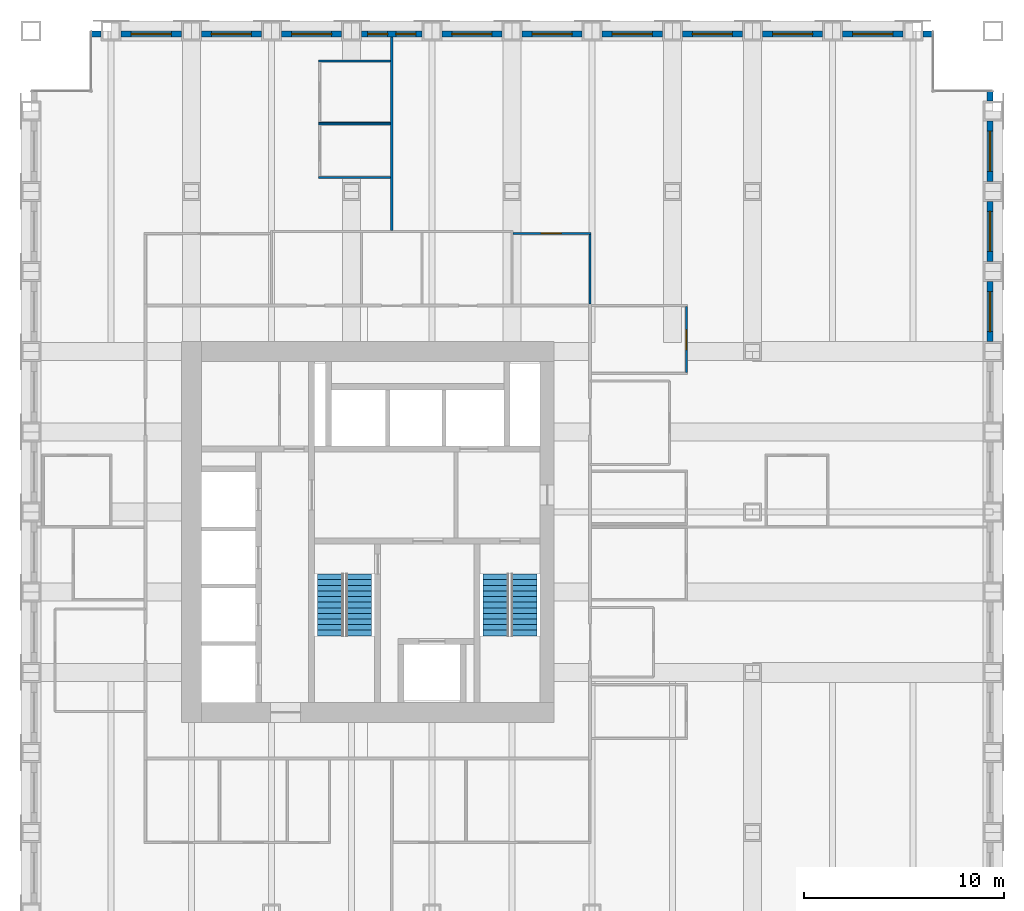
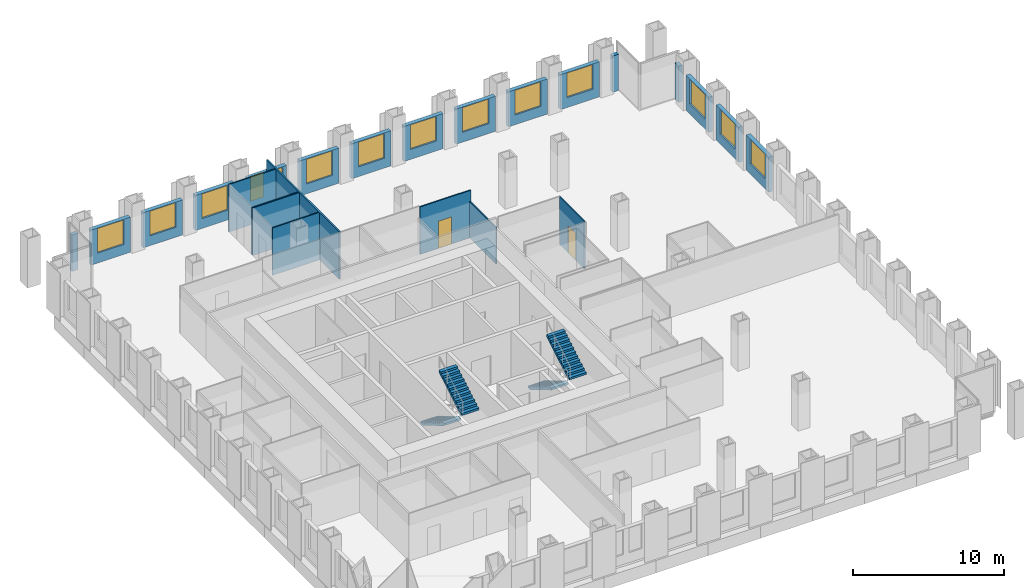
# One storey, part 14 of 16: 24 walls, 14 windows, 4 stair flights, 2 doors, 16 openings, 2 elements without a shape of their own.
"""IFC4 building model written with IfcOpenShell, lengths in metres."""

from ifc_helpers import new_model, si_unit, direction, frame, frame_2d, origin, place, context, subcontext, project, spatial, polyline, rectangle, outline, extrude, material, layer, layer_set, type_object, element, fill, aggregate, save


model = new_model("IFC4")

# Units and contexts
model_context = context("Model", 3, precision=1e-05, world=origin(), true_north=direction((0.0, 1.0)))
body_context = subcontext(model_context, "Body", "Model", "MODEL_VIEW")
ifc_project = project(units=[si_unit("LENGTHUNIT", "METRE"), si_unit("AREAUNIT", "SQUARE_METRE"), si_unit("VOLUMEUNIT", "CUBIC_METRE"), si_unit("PLANEANGLEUNIT", "RADIAN"), si_unit("MASSUNIT", "GRAM", prefix="KILO")], contexts=[model_context])

# Site, building, storey
site_placement = place(None, origin())
site = spatial("IfcSite", under=ifc_project, at=site_placement, CompositionType="ELEMENT")
building_placement = place(site_placement, origin())
building = spatial("IfcBuilding", under=site, at=building_placement, Name="Rimbunsela Tower", CompositionType="ELEMENT")
storey_placement = place(building_placement, frame((0.0, 0.0, 129.39990234375)))
storey = spatial("IfcBuildingStorey", under=building, at=storey_placement, Name="L31", CompositionType="ELEMENT", Elevation=129.39990234375)

# Wall, opening, door
ifc_material_1 = material(Name="Gypsum board on steel studs", Category="steel")
ifc_layer_1 = layer(ifc_material_1, 0.10009765625)
ifc_layer_set_1 = layer_set([ifc_layer_1], Name="Office partition 100")
wall_type_1 = type_object("IfcWallType", Name="Office partition 100", PredefinedType="PARTITIONING", material=ifc_layer_set_1)
wall_1_placement = place(storey_placement, frame((34.050048828125, 41.89990234375, 0.0), z_axis=(0.0, 0.0, 1.0), x_axis=(1.0, 0.0, 0.0)))
wall_1 = element("IfcWall", 1, at=wall_1_placement, inside=storey, type_object=wall_type_1, Name="Office partition", PredefinedType="PARTITIONING", context=body_context, shape_type="SweptSolid", body=[
    extrude(rectangle(XDim=3.89990234375, YDim=0.10009765625, at=frame_2d((1.949951171875, 0.0))), origin(), (0.0, 0.0, 1.0), 3.85009765625),
])
opening_1_placement = place(wall_1_placement, frame((1.39990234375, 0.0, 0.0)))
opening_1 = element("IfcOpeningElement", 2, at=opening_1_placement, cuts=wall_1, Name="Opening D17", PredefinedType="OPENING", context=body_context, shape_type="SweptSolid", body=[
    extrude(rectangle(XDim=1.0, YDim=2.199951171875, at=frame_2d((0.5, 1.10009765625))), frame((0.0, 0.06005859375, 0.0), z_axis=(0.0, -1.0, 0.0), x_axis=(1.0, 0.0, 0.0)), (0.0, 0.0, 1.0), 0.1201171875),
])
ifc_material_2 = material(Name="Glazed aluminium door", Category="aluminium")
door_type_1 = type_object("IfcDoorType", Name="Meeting room door 1000 glazed", OperationType="SINGLE_SWING_RIGHT", PredefinedType="DOOR", material=ifc_material_2)
door_1_placement = place(opening_1_placement, origin())
door_1 = element("IfcDoor", 3, at=door_1_placement, inside=storey, type_object=door_type_1, Name="Meeting room door", OperationType="SINGLE_SWING_RIGHT", OverallHeight=2.199951171875, OverallWidth=1.0, PredefinedType="DOOR", context=body_context, shape_type="SweptSolid", body=[
    extrude(rectangle(XDim=1.0, YDim=2.199951171875, at=frame_2d((0.5, 1.10009765625))), frame((0.0, 0.02490234375, 0.0), z_axis=(0.0, -1.0, 0.0), x_axis=(1.0, 0.0, 0.0)), (0.0, 0.0, 1.0), 0.050048828125),
])
fill(opening_1, door_1)

# Walls
for number, where, z_axis, x_axis, name in (
    (4, (24.35009765625, 44.699951171875, 0.0), (0.0, 0.0, 1.0), (1.0, 0.0, 0.0), "Office partition"),
    (5, (24.35009765625, 47.35009765625, 0.0), (0.0, 0.0, 1.0), (1.0, 0.0, 0.0), "Office partition"),
    (6, (24.35009765625, 47.39990234375, 0.0), (0.0, 0.0, 1.0), (1.0, 0.0, 0.0), "Office partition"),
    (7, (24.35009765625, 50.5, 0.0), (0.0, 0.0, 1.0), (1.0, 0.0, 0.0), "Office partition"),
):
    element("IfcWall", number, at=place(storey_placement, frame(where, z_axis=z_axis, x_axis=x_axis)), inside=storey, type_object=wall_type_1, Name=name, PredefinedType="PARTITIONING", context=body_context, shape_type="SweptSolid", body=[
        extrude(rectangle(XDim=3.58984375, YDim=0.10009765625, at=frame_2d((1.794921875, 0.0))), origin(), (0.0, 0.0, 1.0), 3.85009765625),
    ])
wall_2_placement = place(storey_placement, frame((37.89990234375, 38.375, 0.0), z_axis=(0.0, 0.0, 1.0), x_axis=(0.0, 1.0, 0.0)))
element("IfcWall", 8, at=wall_2_placement, inside=storey, type_object=wall_type_1, Name="Office partition", PredefinedType="PARTITIONING", context=body_context, shape_type="SweptSolid", body=[
    extrude(rectangle(XDim=3.47509765625, YDim=0.10009765625, at=frame_2d((1.737548828125, 0.0))), origin(), (0.0, 0.0, 1.0), 2.9501953125),
])

# Wall, opening, door
wall_3_placement = place(storey_placement, frame((42.699951171875, 34.949951171875, 0.0), z_axis=(0.0, 0.0, 1.0), x_axis=(0.0, 1.0, 0.0)))
wall_3 = element("IfcWall", 9, at=wall_3_placement, inside=storey, type_object=wall_type_1, Name="Office partition", PredefinedType="PARTITIONING", context=body_context, shape_type="SweptSolid", body=[
    extrude(rectangle(XDim=3.300048828125, YDim=0.10009765625, at=frame_2d((1.64990234375, 0.0))), origin(), (0.0, 0.0, 1.0), 3.85009765625),
])
opening_2_placement = place(wall_3_placement, frame((1.14990234375, 0.0, 0.0)))
opening_2 = element("IfcOpeningElement", 10, at=opening_2_placement, cuts=wall_3, Name="Opening D16", PredefinedType="OPENING", context=body_context, shape_type="SweptSolid", body=[
    extrude(rectangle(XDim=1.0, YDim=2.199951171875, at=frame_2d((0.5, 1.10009765625))), frame((0.0, 0.06005859375, 0.0), z_axis=(0.0, -1.0, 0.0), x_axis=(1.0, 0.0, 0.0)), (0.0, 0.0, 1.0), 0.1201171875),
])
ifc_material_3 = material(Name="Timber door", Category="wood")
door_type_2 = type_object("IfcDoorType", Name="Office door 1000", OperationType="SINGLE_SWING_LEFT", PredefinedType="DOOR", material=ifc_material_3)
door_2_placement = place(opening_2_placement, origin())
door_2 = element("IfcDoor", 11, at=door_2_placement, inside=storey, type_object=door_type_2, Name="Office door", OperationType="SINGLE_SWING_LEFT", OverallHeight=2.199951171875, OverallWidth=1.0, PredefinedType="DOOR", context=body_context, shape_type="SweptSolid", body=[
    extrude(rectangle(XDim=1.0, YDim=2.199951171875, at=frame_2d((0.5, 1.10009765625))), frame((0.0, 0.02490234375, 0.0), z_axis=(0.0, -1.0, 0.0), x_axis=(1.0, 0.0, 0.0)), (0.0, 0.0, 1.0), 0.050048828125),
])
fill(opening_2, door_2)

# Wall, opening, window
ifc_material_4 = material(Name="Precast concrete fc' 35 MPa", Category="concrete")
ifc_layer_2 = layer(ifc_material_4, 0.300048828125)
ifc_layer_set_2 = layer_set([ifc_layer_2], Name="Precast concrete fc' 35 MPa")
wall_type_2 = type_object("IfcWallType", Name="Precast facade panel 300", PredefinedType="ELEMENTEDWALL", material=ifc_layer_set_2)
wall_4_placement = place(storey_placement, frame((57.85009765625, 36.5, 0.0), z_axis=(0.0, 0.0, 1.0), x_axis=(0.0, 1.0, 0.0)))
wall_4 = element("IfcWall", 12, at=wall_4_placement, inside=storey, type_object=wall_type_2, Name="Facade panel E L31", PredefinedType="ELEMENTEDWALL", context=body_context, shape_type="SweptSolid", body=[
    extrude(rectangle(XDim=3.0, YDim=0.300048828125, at=frame_2d((1.5, 0.0))), origin(), (0.0, 0.0, 1.0), 2.85009765625),
])
opening_3_placement = place(wall_4_placement, frame((0.5, 0.0, 0.800048828125)))
opening_3 = element("IfcOpeningElement", 13, at=opening_3_placement, cuts=wall_4, Name="Opening W1", PredefinedType="OPENING", context=body_context, shape_type="SweptSolid", body=[
    extrude(rectangle(XDim=2.0, YDim=2.0, at=frame_2d((1.0, 1.0))), frame((0.0, 0.159912109375, 0.0), z_axis=(0.0, -1.0, 0.0), x_axis=(1.0, 0.0, 0.0)), (0.0, 0.0, 1.0), 0.320068359375),
])
ifc_material_5 = material(Name="Clear glass in aluminium frame", Category="aluminium")
window_type_1 = type_object("IfcWindowType", Name="Window W1 2000x2000", PartitioningType="DOUBLE_PANEL_VERTICAL", PredefinedType="WINDOW", material=ifc_material_5)
window_1_placement = place(opening_3_placement, origin())
window_1 = element("IfcWindow", 14, at=window_1_placement, inside=storey, type_object=window_type_1, Name="Window L31", OverallHeight=2.0, OverallWidth=2.0, PartitioningType="SINGLE_PANEL", PredefinedType="WINDOW", context=body_context, shape_type="SweptSolid", body=[
    extrude(rectangle(XDim=2.0, YDim=2.0, at=frame_2d((1.0, 1.0))), frame((0.0, 0.030029296875, 0.0), z_axis=(0.0, -1.0, 0.0), x_axis=(1.0, 0.0, 0.0)), (0.0, 0.0, 1.0), 0.06005859375),
])
fill(opening_3, window_1)

wall_5_placement = place(storey_placement, frame((57.85009765625, 40.5, 0.0), z_axis=(0.0, 0.0, 1.0), x_axis=(0.0, 1.0, 0.0)))
wall_5 = element("IfcWall", 15, at=wall_5_placement, inside=storey, type_object=wall_type_2, Name="Facade panel E L31", PredefinedType="ELEMENTEDWALL", context=body_context, shape_type="SweptSolid", body=[
    extrude(rectangle(XDim=3.0, YDim=0.300048828125, at=frame_2d((1.5, 0.0))), origin(), (0.0, 0.0, 1.0), 2.85009765625),
])
opening_4_placement = place(wall_5_placement, frame((0.5, 0.0, 0.800048828125)))
opening_4 = element("IfcOpeningElement", 16, at=opening_4_placement, cuts=wall_5, Name="Opening W1", PredefinedType="OPENING", context=body_context, shape_type="SweptSolid", body=[
    extrude(rectangle(XDim=2.0, YDim=2.0, at=frame_2d((1.0, 1.0))), frame((0.0, 0.159912109375, 0.0), z_axis=(0.0, -1.0, 0.0), x_axis=(1.0, 0.0, 0.0)), (0.0, 0.0, 1.0), 0.320068359375),
])
window_2_placement = place(opening_4_placement, origin())
window_2 = element("IfcWindow", 17, at=window_2_placement, inside=storey, type_object=window_type_1, Name="Window L31", OverallHeight=2.0, OverallWidth=2.0, PartitioningType="SINGLE_PANEL", PredefinedType="WINDOW", context=body_context, shape_type="SweptSolid", body=[
    extrude(rectangle(XDim=2.0, YDim=2.0, at=frame_2d((1.0, 1.0))), frame((0.0, 0.030029296875, 0.0), z_axis=(0.0, -1.0, 0.0), x_axis=(1.0, 0.0, 0.0)), (0.0, 0.0, 1.0), 0.06005859375),
])
fill(opening_4, window_2)

wall_6_placement = place(storey_placement, frame((57.85009765625, 44.5, 0.0), z_axis=(0.0, 0.0, 1.0), x_axis=(0.0, 1.0, 0.0)))
wall_6 = element("IfcWall", 18, at=wall_6_placement, inside=storey, type_object=wall_type_2, Name="Facade panel E L31", PredefinedType="ELEMENTEDWALL", context=body_context, shape_type="SweptSolid", body=[
    extrude(rectangle(XDim=3.0, YDim=0.300048828125, at=frame_2d((1.5, 0.0))), origin(), (0.0, 0.0, 1.0), 2.85009765625),
])
opening_5_placement = place(wall_6_placement, frame((0.5, 0.0, 0.800048828125)))
opening_5 = element("IfcOpeningElement", 19, at=opening_5_placement, cuts=wall_6, Name="Opening W1", PredefinedType="OPENING", context=body_context, shape_type="SweptSolid", body=[
    extrude(rectangle(XDim=2.0, YDim=2.0, at=frame_2d((1.0, 1.0))), frame((0.0, 0.159912109375, 0.0), z_axis=(0.0, -1.0, 0.0), x_axis=(1.0, 0.0, 0.0)), (0.0, 0.0, 1.0), 0.320068359375),
])
window_3_placement = place(opening_5_placement, origin())
window_3 = element("IfcWindow", 20, at=window_3_placement, inside=storey, type_object=window_type_1, Name="Window L31", OverallHeight=2.0, OverallWidth=2.0, PartitioningType="SINGLE_PANEL", PredefinedType="WINDOW", context=body_context, shape_type="SweptSolid", body=[
    extrude(rectangle(XDim=2.0, YDim=2.0, at=frame_2d((1.0, 1.0))), frame((0.0, 0.030029296875, 0.0), z_axis=(0.0, -1.0, 0.0), x_axis=(1.0, 0.0, 0.0)), (0.0, 0.0, 1.0), 0.06005859375),
])
fill(opening_5, window_3)

# Walls
for number, where, z_axis, x_axis, name in (
    (21, (57.85009765625, 48.5, 0.0), (0.0, 0.0, 1.0), (0.0, 1.0, 0.0), "Facade panel E L31"),
    (22, (13.5, 51.85009765625, 0.0), (0.0, 0.0, 1.0), (-1.0, 0.0, 0.0), "Facade panel N L31"),
):
    element("IfcWall", number, at=place(storey_placement, frame(where, z_axis=z_axis, x_axis=x_axis)), inside=storey, type_object=wall_type_2, Name=name, PredefinedType="ELEMENTEDWALL", context=body_context, shape_type="SweptSolid", body=[
        extrude(rectangle(XDim=0.469970703125, YDim=0.300048828125, at=frame_2d((0.23486328125, 0.0))), origin(), (0.0, 0.0, 1.0), 2.9501953125),
    ])

# Wall, opening, window
wall_7_placement = place(storey_placement, frame((17.5, 51.85009765625, 0.0), z_axis=(0.0, 0.0, 1.0), x_axis=(-1.0, 0.0, 0.0)))
wall_7 = element("IfcWall", 23, at=wall_7_placement, inside=storey, type_object=wall_type_2, Name="Facade panel N L31", PredefinedType="ELEMENTEDWALL", context=body_context, shape_type="SweptSolid", body=[
    extrude(rectangle(XDim=3.0, YDim=0.300048828125, at=frame_2d((1.5, 0.0))), origin(), (0.0, 0.0, 1.0), 2.85009765625),
])
opening_6_placement = place(wall_7_placement, frame((0.5, 0.0, 0.800048828125)))
opening_6 = element("IfcOpeningElement", 24, at=opening_6_placement, cuts=wall_7, Name="Opening W1", PredefinedType="OPENING", context=body_context, shape_type="SweptSolid", body=[
    extrude(rectangle(XDim=2.0, YDim=2.0, at=frame_2d((1.0, 1.0))), frame((0.0, 0.159912109375, 0.0), z_axis=(0.0, -1.0, 0.0), x_axis=(1.0, 0.0, 0.0)), (0.0, 0.0, 1.0), 0.320068359375),
])
window_4_placement = place(opening_6_placement, origin())
window_4 = element("IfcWindow", 25, at=window_4_placement, inside=storey, type_object=window_type_1, Name="Window L31", OverallHeight=2.0, OverallWidth=2.0, PartitioningType="SINGLE_PANEL", PredefinedType="WINDOW", context=body_context, shape_type="SweptSolid", body=[
    extrude(rectangle(XDim=2.0, YDim=2.0, at=frame_2d((1.0, 1.0))), frame((0.0, 0.030029296875, 0.0), z_axis=(0.0, -1.0, 0.0), x_axis=(1.0, 0.0, 0.0)), (0.0, 0.0, 1.0), 0.06005859375),
])
fill(opening_6, window_4)

wall_8_placement = place(storey_placement, frame((21.5, 51.85009765625, 0.0), z_axis=(0.0, 0.0, 1.0), x_axis=(-1.0, 0.0, 0.0)))
wall_8 = element("IfcWall", 26, at=wall_8_placement, inside=storey, type_object=wall_type_2, Name="Facade panel N L31", PredefinedType="ELEMENTEDWALL", context=body_context, shape_type="SweptSolid", body=[
    extrude(rectangle(XDim=3.0, YDim=0.300048828125, at=frame_2d((1.5, 0.0))), origin(), (0.0, 0.0, 1.0), 2.85009765625),
])
opening_7_placement = place(wall_8_placement, frame((0.5, 0.0, 0.800048828125)))
opening_7 = element("IfcOpeningElement", 27, at=opening_7_placement, cuts=wall_8, Name="Opening W1", PredefinedType="OPENING", context=body_context, shape_type="SweptSolid", body=[
    extrude(rectangle(XDim=2.0, YDim=2.0, at=frame_2d((1.0, 1.0))), frame((0.0, 0.159912109375, 0.0), z_axis=(0.0, -1.0, 0.0), x_axis=(1.0, 0.0, 0.0)), (0.0, 0.0, 1.0), 0.320068359375),
])
window_5_placement = place(opening_7_placement, origin())
window_5 = element("IfcWindow", 28, at=window_5_placement, inside=storey, type_object=window_type_1, Name="Window L31", OverallHeight=2.0, OverallWidth=2.0, PartitioningType="SINGLE_PANEL", PredefinedType="WINDOW", context=body_context, shape_type="SweptSolid", body=[
    extrude(rectangle(XDim=2.0, YDim=2.0, at=frame_2d((1.0, 1.0))), frame((0.0, 0.030029296875, 0.0), z_axis=(0.0, -1.0, 0.0), x_axis=(1.0, 0.0, 0.0)), (0.0, 0.0, 1.0), 0.06005859375),
])
fill(opening_7, window_5)

wall_9_placement = place(storey_placement, frame((25.5, 51.85009765625, 0.0), z_axis=(0.0, 0.0, 1.0), x_axis=(-1.0, 0.0, 0.0)))
wall_9 = element("IfcWall", 29, at=wall_9_placement, inside=storey, type_object=wall_type_2, Name="Facade panel N L31", PredefinedType="ELEMENTEDWALL", context=body_context, shape_type="SweptSolid", body=[
    extrude(rectangle(XDim=3.0, YDim=0.300048828125, at=frame_2d((1.5, 0.0))), origin(), (0.0, 0.0, 1.0), 2.85009765625),
])
opening_8_placement = place(wall_9_placement, frame((0.5, 0.0, 0.800048828125)))
opening_8 = element("IfcOpeningElement", 30, at=opening_8_placement, cuts=wall_9, Name="Opening W1", PredefinedType="OPENING", context=body_context, shape_type="SweptSolid", body=[
    extrude(rectangle(XDim=2.0, YDim=2.0, at=frame_2d((1.0, 1.0))), frame((0.0, 0.159912109375, 0.0), z_axis=(0.0, -1.0, 0.0), x_axis=(1.0, 0.0, 0.0)), (0.0, 0.0, 1.0), 0.320068359375),
])
window_6_placement = place(opening_8_placement, origin())
window_6 = element("IfcWindow", 31, at=window_6_placement, inside=storey, type_object=window_type_1, Name="Window L31", OverallHeight=2.0, OverallWidth=2.0, PartitioningType="SINGLE_PANEL", PredefinedType="WINDOW", context=body_context, shape_type="SweptSolid", body=[
    extrude(rectangle(XDim=2.0, YDim=2.0, at=frame_2d((1.0, 1.0))), frame((0.0, 0.030029296875, 0.0), z_axis=(0.0, -1.0, 0.0), x_axis=(1.0, 0.0, 0.0)), (0.0, 0.0, 1.0), 0.06005859375),
])
fill(opening_8, window_6)

# Wall, openings, windows
wall_10_placement = place(storey_placement, frame((29.5, 51.85009765625, 0.0), z_axis=(0.0, 0.0, 1.0), x_axis=(-1.0, 0.0, 0.0)))
wall_10 = element("IfcWall", 32, at=wall_10_placement, inside=storey, type_object=wall_type_2, Name="Facade panel N L31", PredefinedType="ELEMENTEDWALL", context=body_context, shape_type="SweptSolid", body=[
    extrude(rectangle(XDim=3.0, YDim=0.300048828125, at=frame_2d((1.5, 0.0))), origin(), (0.0, 0.0, 1.0), 2.85009765625),
])
opening_9_placement = place(wall_10_placement, frame((1.699951171875, 0.0, 0.800048828125)))
opening_9 = element("IfcOpeningElement", 33, at=opening_9_placement, cuts=wall_10, Name="Opening W5", PredefinedType="OPENING", context=body_context, shape_type="SweptSolid", body=[
    extrude(rectangle(XDim=1.0, YDim=2.0, at=frame_2d((0.5, 1.0))), frame((0.0, 0.159912109375, 0.0), z_axis=(0.0, -1.0, 0.0), x_axis=(1.0, 0.0, 0.0)), (0.0, 0.0, 1.0), 0.320068359375),
])
opening_10_placement = place(wall_10_placement, frame((0.300048828125, 0.0, 0.800048828125)))
opening_10 = element("IfcOpeningElement", 34, at=opening_10_placement, cuts=wall_10, Name="Opening W5", PredefinedType="OPENING", context=body_context, shape_type="SweptSolid", body=[
    extrude(rectangle(XDim=1.0, YDim=2.0, at=frame_2d((0.5, 1.0))), frame((0.0, 0.159912109375, 0.0), z_axis=(0.0, -1.0, 0.0), x_axis=(1.0, 0.0, 0.0)), (0.0, 0.0, 1.0), 0.320068359375),
])
ifc_material_6 = material(Name="Clear glass in aluminium frame", Category="aluminium")
window_type_2 = type_object("IfcWindowType", Name="Window W5 1000x2000", PartitioningType="SINGLE_PANEL", PredefinedType="WINDOW", material=ifc_material_6)
window_7_placement = place(opening_9_placement, origin())
window_7 = element("IfcWindow", 35, at=window_7_placement, inside=storey, type_object=window_type_2, Name="Window L31", OverallHeight=2.0, OverallWidth=1.0, PartitioningType="SINGLE_PANEL", PredefinedType="WINDOW", context=body_context, shape_type="SweptSolid", body=[
    extrude(rectangle(XDim=1.0, YDim=2.0, at=frame_2d((0.5, 1.0))), frame((0.0, 0.030029296875, 0.0), z_axis=(0.0, -1.0, 0.0), x_axis=(1.0, 0.0, 0.0)), (0.0, 0.0, 1.0), 0.06005859375),
])
fill(opening_9, window_7)
window_8_placement = place(opening_10_placement, origin())
window_8 = element("IfcWindow", 36, at=window_8_placement, inside=storey, type_object=window_type_2, Name="Window L31", OverallHeight=2.0, OverallWidth=1.0, PartitioningType="SINGLE_PANEL", PredefinedType="WINDOW", context=body_context, shape_type="SweptSolid", body=[
    extrude(rectangle(XDim=1.0, YDim=2.0, at=frame_2d((0.5, 1.0))), frame((0.0, 0.030029296875, 0.0), z_axis=(0.0, -1.0, 0.0), x_axis=(1.0, 0.0, 0.0)), (0.0, 0.0, 1.0), 0.06005859375),
])
fill(opening_10, window_8)

# Wall, opening, window
wall_11_placement = place(storey_placement, frame((33.5, 51.85009765625, 0.0), z_axis=(0.0, 0.0, 1.0), x_axis=(-1.0, 0.0, 0.0)))
wall_11 = element("IfcWall", 37, at=wall_11_placement, inside=storey, type_object=wall_type_2, Name="Facade panel N L31", PredefinedType="ELEMENTEDWALL", context=body_context, shape_type="SweptSolid", body=[
    extrude(rectangle(XDim=3.0, YDim=0.300048828125, at=frame_2d((1.5, 0.0))), origin(), (0.0, 0.0, 1.0), 2.85009765625),
])
opening_11_placement = place(wall_11_placement, frame((0.5, 0.0, 0.800048828125)))
opening_11 = element("IfcOpeningElement", 38, at=opening_11_placement, cuts=wall_11, Name="Opening W1", PredefinedType="OPENING", context=body_context, shape_type="SweptSolid", body=[
    extrude(rectangle(XDim=2.0, YDim=2.0, at=frame_2d((1.0, 1.0))), frame((0.0, 0.159912109375, 0.0), z_axis=(0.0, -1.0, 0.0), x_axis=(1.0, 0.0, 0.0)), (0.0, 0.0, 1.0), 0.320068359375),
])
window_9_placement = place(opening_11_placement, origin())
window_9 = element("IfcWindow", 39, at=window_9_placement, inside=storey, type_object=window_type_1, Name="Window L31", OverallHeight=2.0, OverallWidth=2.0, PartitioningType="SINGLE_PANEL", PredefinedType="WINDOW", context=body_context, shape_type="SweptSolid", body=[
    extrude(rectangle(XDim=2.0, YDim=2.0, at=frame_2d((1.0, 1.0))), frame((0.0, 0.030029296875, 0.0), z_axis=(0.0, -1.0, 0.0), x_axis=(1.0, 0.0, 0.0)), (0.0, 0.0, 1.0), 0.06005859375),
])
fill(opening_11, window_9)

wall_12_placement = place(storey_placement, frame((37.5, 51.85009765625, 0.0), z_axis=(0.0, 0.0, 1.0), x_axis=(-1.0, 0.0, 0.0)))
wall_12 = element("IfcWall", 40, at=wall_12_placement, inside=storey, type_object=wall_type_2, Name="Facade panel N L31", PredefinedType="ELEMENTEDWALL", context=body_context, shape_type="SweptSolid", body=[
    extrude(rectangle(XDim=3.0, YDim=0.300048828125, at=frame_2d((1.5, 0.0))), origin(), (0.0, 0.0, 1.0), 2.85009765625),
])
opening_12_placement = place(wall_12_placement, frame((0.5, 0.0, 0.800048828125)))
opening_12 = element("IfcOpeningElement", 41, at=opening_12_placement, cuts=wall_12, Name="Opening W1", PredefinedType="OPENING", context=body_context, shape_type="SweptSolid", body=[
    extrude(rectangle(XDim=2.0, YDim=2.0, at=frame_2d((1.0, 1.0))), frame((0.0, 0.159912109375, 0.0), z_axis=(0.0, -1.0, 0.0), x_axis=(1.0, 0.0, 0.0)), (0.0, 0.0, 1.0), 0.320068359375),
])
window_10_placement = place(opening_12_placement, origin())
window_10 = element("IfcWindow", 42, at=window_10_placement, inside=storey, type_object=window_type_1, Name="Window L31", OverallHeight=2.0, OverallWidth=2.0, PartitioningType="SINGLE_PANEL", PredefinedType="WINDOW", context=body_context, shape_type="SweptSolid", body=[
    extrude(rectangle(XDim=2.0, YDim=2.0, at=frame_2d((1.0, 1.0))), frame((0.0, 0.030029296875, 0.0), z_axis=(0.0, -1.0, 0.0), x_axis=(1.0, 0.0, 0.0)), (0.0, 0.0, 1.0), 0.06005859375),
])
fill(opening_12, window_10)

wall_13_placement = place(storey_placement, frame((41.5, 51.85009765625, 0.0), z_axis=(0.0, 0.0, 1.0), x_axis=(-1.0, 0.0, 0.0)))
wall_13 = element("IfcWall", 43, at=wall_13_placement, inside=storey, type_object=wall_type_2, Name="Facade panel N L31", PredefinedType="ELEMENTEDWALL", context=body_context, shape_type="SweptSolid", body=[
    extrude(rectangle(XDim=3.0, YDim=0.300048828125, at=frame_2d((1.5, 0.0))), origin(), (0.0, 0.0, 1.0), 2.85009765625),
])
opening_13_placement = place(wall_13_placement, frame((0.5, 0.0, 0.800048828125)))
opening_13 = element("IfcOpeningElement", 44, at=opening_13_placement, cuts=wall_13, Name="Opening W1", PredefinedType="OPENING", context=body_context, shape_type="SweptSolid", body=[
    extrude(rectangle(XDim=2.0, YDim=2.0, at=frame_2d((1.0, 1.0))), frame((0.0, 0.159912109375, 0.0), z_axis=(0.0, -1.0, 0.0), x_axis=(1.0, 0.0, 0.0)), (0.0, 0.0, 1.0), 0.320068359375),
])
window_11_placement = place(opening_13_placement, origin())
window_11 = element("IfcWindow", 45, at=window_11_placement, inside=storey, type_object=window_type_1, Name="Window L31", OverallHeight=2.0, OverallWidth=2.0, PartitioningType="SINGLE_PANEL", PredefinedType="WINDOW", context=body_context, shape_type="SweptSolid", body=[
    extrude(rectangle(XDim=2.0, YDim=2.0, at=frame_2d((1.0, 1.0))), frame((0.0, 0.030029296875, 0.0), z_axis=(0.0, -1.0, 0.0), x_axis=(1.0, 0.0, 0.0)), (0.0, 0.0, 1.0), 0.06005859375),
])
fill(opening_13, window_11)

wall_14_placement = place(storey_placement, frame((45.5, 51.85009765625, 0.0), z_axis=(0.0, 0.0, 1.0), x_axis=(-1.0, 0.0, 0.0)))
wall_14 = element("IfcWall", 46, at=wall_14_placement, inside=storey, type_object=wall_type_2, Name="Facade panel N L31", PredefinedType="ELEMENTEDWALL", context=body_context, shape_type="SweptSolid", body=[
    extrude(rectangle(XDim=3.0, YDim=0.300048828125, at=frame_2d((1.5, 0.0))), origin(), (0.0, 0.0, 1.0), 2.85009765625),
])
opening_14_placement = place(wall_14_placement, frame((0.5, 0.0, 0.800048828125)))
opening_14 = element("IfcOpeningElement", 47, at=opening_14_placement, cuts=wall_14, Name="Opening W1", PredefinedType="OPENING", context=body_context, shape_type="SweptSolid", body=[
    extrude(rectangle(XDim=2.0, YDim=2.0, at=frame_2d((1.0, 1.0))), frame((0.0, 0.159912109375, 0.0), z_axis=(0.0, -1.0, 0.0), x_axis=(1.0, 0.0, 0.0)), (0.0, 0.0, 1.0), 0.320068359375),
])
window_12_placement = place(opening_14_placement, origin())
window_12 = element("IfcWindow", 48, at=window_12_placement, inside=storey, type_object=window_type_1, Name="Window L31", OverallHeight=2.0, OverallWidth=2.0, PartitioningType="SINGLE_PANEL", PredefinedType="WINDOW", context=body_context, shape_type="SweptSolid", body=[
    extrude(rectangle(XDim=2.0, YDim=2.0, at=frame_2d((1.0, 1.0))), frame((0.0, 0.030029296875, 0.0), z_axis=(0.0, -1.0, 0.0), x_axis=(1.0, 0.0, 0.0)), (0.0, 0.0, 1.0), 0.06005859375),
])
fill(opening_14, window_12)

wall_15_placement = place(storey_placement, frame((49.5, 51.85009765625, 0.0), z_axis=(0.0, 0.0, 1.0), x_axis=(-1.0, 0.0, 0.0)))
wall_15 = element("IfcWall", 49, at=wall_15_placement, inside=storey, type_object=wall_type_2, Name="Facade panel N L31", PredefinedType="ELEMENTEDWALL", context=body_context, shape_type="SweptSolid", body=[
    extrude(rectangle(XDim=3.0, YDim=0.300048828125, at=frame_2d((1.5, 0.0))), origin(), (0.0, 0.0, 1.0), 2.85009765625),
])
opening_15_placement = place(wall_15_placement, frame((0.5, 0.0, 0.800048828125)))
opening_15 = element("IfcOpeningElement", 50, at=opening_15_placement, cuts=wall_15, Name="Opening W1", PredefinedType="OPENING", context=body_context, shape_type="SweptSolid", body=[
    extrude(rectangle(XDim=2.0, YDim=2.0, at=frame_2d((1.0, 1.0))), frame((0.0, 0.159912109375, 0.0), z_axis=(0.0, -1.0, 0.0), x_axis=(1.0, 0.0, 0.0)), (0.0, 0.0, 1.0), 0.320068359375),
])
window_13_placement = place(opening_15_placement, origin())
window_13 = element("IfcWindow", 51, at=window_13_placement, inside=storey, type_object=window_type_1, Name="Window L31", OverallHeight=2.0, OverallWidth=2.0, PartitioningType="SINGLE_PANEL", PredefinedType="WINDOW", context=body_context, shape_type="SweptSolid", body=[
    extrude(rectangle(XDim=2.0, YDim=2.0, at=frame_2d((1.0, 1.0))), frame((0.0, 0.030029296875, 0.0), z_axis=(0.0, -1.0, 0.0), x_axis=(1.0, 0.0, 0.0)), (0.0, 0.0, 1.0), 0.06005859375),
])
fill(opening_15, window_13)

wall_16_placement = place(storey_placement, frame((53.5, 51.85009765625, 0.0), z_axis=(0.0, 0.0, 1.0), x_axis=(-1.0, 0.0, 0.0)))
wall_16 = element("IfcWall", 52, at=wall_16_placement, inside=storey, type_object=wall_type_2, Name="Facade panel N L31", PredefinedType="ELEMENTEDWALL", context=body_context, shape_type="SweptSolid", body=[
    extrude(rectangle(XDim=3.0, YDim=0.300048828125, at=frame_2d((1.5, 0.0))), origin(), (0.0, 0.0, 1.0), 2.85009765625),
])
opening_16_placement = place(wall_16_placement, frame((0.5, 0.0, 0.800048828125)))
opening_16 = element("IfcOpeningElement", 53, at=opening_16_placement, cuts=wall_16, Name="Opening W1", PredefinedType="OPENING", context=body_context, shape_type="SweptSolid", body=[
    extrude(rectangle(XDim=2.0, YDim=2.0, at=frame_2d((1.0, 1.0))), frame((0.0, 0.159912109375, 0.0), z_axis=(0.0, -1.0, 0.0), x_axis=(1.0, 0.0, 0.0)), (0.0, 0.0, 1.0), 0.320068359375),
])
window_14_placement = place(opening_16_placement, origin())
window_14 = element("IfcWindow", 54, at=window_14_placement, inside=storey, type_object=window_type_1, Name="Window L31", OverallHeight=2.0, OverallWidth=2.0, PartitioningType="SINGLE_PANEL", PredefinedType="WINDOW", context=body_context, shape_type="SweptSolid", body=[
    extrude(rectangle(XDim=2.0, YDim=2.0, at=frame_2d((1.0, 1.0))), frame((0.0, 0.030029296875, 0.0), z_axis=(0.0, -1.0, 0.0), x_axis=(1.0, 0.0, 0.0)), (0.0, 0.0, 1.0), 0.06005859375),
])
fill(opening_16, window_14)

# Walls
wall_17_placement = place(storey_placement, frame((54.969970703125, 51.85009765625, 0.0), z_axis=(0.0, 0.0, 1.0), x_axis=(-1.0, 0.0, 0.0)))
element("IfcWall", 55, at=wall_17_placement, inside=storey, type_object=wall_type_2, Name="Facade panel N L31", PredefinedType="ELEMENTEDWALL", context=body_context, shape_type="SweptSolid", body=[
    extrude(rectangle(XDim=0.469970703125, YDim=0.300048828125, at=frame_2d((0.23486328125, 0.0))), origin(), (0.0, 0.0, 1.0), 2.9501953125),
])
ifc_material_7 = material(Name="Gypsum board on steel studs", Category="steel")
ifc_layer_3 = layer(ifc_material_7, 0.1201171875)
ifc_layer_set_3 = layer_set([ifc_layer_3], Name="Tenancy partition 120")
wall_type_3 = type_object("IfcWallType", Name="Tenancy partition 120", PredefinedType="PARTITIONING", material=ifc_layer_set_3)
wall_18_placement = place(storey_placement, frame((28.0, 42.050048828125, 0.0), z_axis=(0.0, 0.0, 1.0), x_axis=(0.0, 1.0, 0.0)))
element("IfcWall", 56, at=wall_18_placement, inside=storey, type_object=wall_type_3, Name="Tenancy partition north", PredefinedType="PARTITIONING", context=body_context, shape_type="SweptSolid", body=[
    extrude(rectangle(XDim=9.64990234375, YDim=0.1201171875, at=frame_2d((4.824951171875, 0.0))), origin(), (0.0, 0.0, 1.0), 3.85009765625),
])

# Stair, stair flights
ifc_material_8 = material(Name="Concrete fc' 35 MPa", Category="concrete")
stair_type = type_object("IfcStairType", Name="Exit stair 24 risers", PredefinedType="HALF_TURN_STAIR", material=ifc_material_8)
stair_1_placement = place(storey_placement, origin())
stair_1 = element("IfcStair", 57, at=stair_1_placement, inside=storey, type_object=stair_type, Name="Exit stair A L31", PredefinedType="HALF_TURN_STAIR")
ifc_material_9 = material(Name="Concrete fc' 35 MPa", Category="concrete")
stair_flight_type = type_object("IfcStairFlightType", Name="Stair flight 12 risers 167", PredefinedType="STRAIGHT", material=ifc_material_9)
stair_flight_1_placement = place(storey_placement, frame((24.949951171875, 24.89990234375, 0.0), z_axis=(0.0, 0.0, 1.0), x_axis=(0.0, -1.0, 0.0)))
stair_flight_1 = element("IfcStairFlight", 58, at=stair_flight_1_placement, type_object=stair_flight_type, Name="ST-A flight 1", NumberOfRisers=12, NumberOfTreads=11, PredefinedType="STRAIGHT", RiserHeight=0.166666667, TreadLength=0.28, context=body_context, shape_type="SweptSolid", body=[
    extrude(outline(polyline([(0.0, 0.0), (0.0, 0.166748046875), (0.280029296875, 0.166748046875), (0.280029296875, 0.333251953125), (0.56005859375, 0.333251953125), (0.56005859375, 0.5), (0.840087890625, 0.5), (0.840087890625, 0.666748046875), (1.1201171875, 0.666748046875), (1.1201171875, 0.833251953125), (1.39990234375, 0.833251953125), (1.39990234375, 1.0), (1.679931640625, 1.0), (1.679931640625, 1.166748046875), (1.9599609375, 1.166748046875), (1.9599609375, 1.333251953125), (2.239990234375, 1.333251953125), (2.239990234375, 1.5), (2.52001953125, 1.5), (2.52001953125, 1.666748046875), (2.800048828125, 1.666748046875), (2.800048828125, 1.833251953125), (3.080078125, 1.833251953125), (3.080078125, 2.0), (3.080078125, 1.658935546875), (0.29296875, 0.0), (0.0, 0.0)])), frame((0.0, 0.64990234375, 0.0), z_axis=(0.0, -1.0, 0.0), x_axis=(1.0, 0.0, 0.0)), (0.0, 0.0, 1.0), 1.300048828125),
])
stair_flight_2_placement = place(storey_placement, frame((26.35009765625, 21.820068359375, 2.0), z_axis=(0.0, 0.0, 1.0), x_axis=(0.0, 1.0, 0.0)))
stair_flight_2 = element("IfcStairFlight", 59, at=stair_flight_2_placement, type_object=stair_flight_type, Name="ST-A flight 2", NumberOfRisers=12, NumberOfTreads=11, PredefinedType="STRAIGHT", RiserHeight=0.166666667, TreadLength=0.28, context=body_context, shape_type="SweptSolid", body=[
    extrude(outline(polyline([(0.0, 0.0), (0.0, 0.166748046875), (0.280029296875, 0.166748046875), (0.280029296875, 0.333251953125), (0.56005859375, 0.333251953125), (0.56005859375, 0.5), (0.840087890625, 0.5), (0.840087890625, 0.666748046875), (1.1201171875, 0.666748046875), (1.1201171875, 0.833251953125), (1.39990234375, 0.833251953125), (1.39990234375, 1.0), (1.679931640625, 1.0), (1.679931640625, 1.166748046875), (1.9599609375, 1.166748046875), (1.9599609375, 1.333251953125), (2.239990234375, 1.333251953125), (2.239990234375, 1.5), (2.52001953125, 1.5), (2.52001953125, 1.666748046875), (2.800048828125, 1.666748046875), (2.800048828125, 1.833251953125), (3.080078125, 1.833251953125), (3.080078125, 2.0), (3.080078125, 1.658935546875), (0.29296875, 0.0), (0.0, 0.0)])), frame((0.0, 0.64990234375, 0.0), z_axis=(0.0, -1.0, 0.0), x_axis=(1.0, 0.0, 0.0)), (0.0, 0.0, 1.0), 1.300048828125),
])
aggregate(stair_1, [stair_flight_1, stair_flight_2])

stair_2_placement = place(storey_placement, origin())
stair_2 = element("IfcStair", 60, at=stair_2_placement, inside=storey, type_object=stair_type, Name="Exit stair B L31", PredefinedType="HALF_TURN_STAIR")
stair_flight_3_placement = place(storey_placement, frame((33.199951171875, 24.89990234375, 0.0), z_axis=(0.0, 0.0, 1.0), x_axis=(0.0, -1.0, 0.0)))
stair_flight_3 = element("IfcStairFlight", 61, at=stair_flight_3_placement, type_object=stair_flight_type, Name="ST-B flight 1", NumberOfRisers=12, NumberOfTreads=11, PredefinedType="STRAIGHT", RiserHeight=0.166666667, TreadLength=0.28, context=body_context, shape_type="SweptSolid", body=[
    extrude(outline(polyline([(0.0, 0.0), (0.0, 0.166748046875), (0.280029296875, 0.166748046875), (0.280029296875, 0.333251953125), (0.56005859375, 0.333251953125), (0.56005859375, 0.5), (0.840087890625, 0.5), (0.840087890625, 0.666748046875), (1.1201171875, 0.666748046875), (1.1201171875, 0.833251953125), (1.39990234375, 0.833251953125), (1.39990234375, 1.0), (1.679931640625, 1.0), (1.679931640625, 1.166748046875), (1.9599609375, 1.166748046875), (1.9599609375, 1.333251953125), (2.239990234375, 1.333251953125), (2.239990234375, 1.5), (2.52001953125, 1.5), (2.52001953125, 1.666748046875), (2.800048828125, 1.666748046875), (2.800048828125, 1.833251953125), (3.080078125, 1.833251953125), (3.080078125, 2.0), (3.080078125, 1.658935546875), (0.29296875, 0.0), (0.0, 0.0)])), frame((0.0, 0.64990234375, 0.0), z_axis=(0.0, -1.0, 0.0), x_axis=(1.0, 0.0, 0.0)), (0.0, 0.0, 1.0), 1.300048828125),
])
stair_flight_4_placement = place(storey_placement, frame((34.60009765625, 21.820068359375, 2.0), z_axis=(0.0, 0.0, 1.0), x_axis=(0.0, 1.0, 0.0)))
stair_flight_4 = element("IfcStairFlight", 62, at=stair_flight_4_placement, type_object=stair_flight_type, Name="ST-B flight 2", NumberOfRisers=12, NumberOfTreads=11, PredefinedType="STRAIGHT", RiserHeight=0.166666667, TreadLength=0.28, context=body_context, shape_type="SweptSolid", body=[
    extrude(outline(polyline([(0.0, 0.0), (0.0, 0.166748046875), (0.280029296875, 0.166748046875), (0.280029296875, 0.333251953125), (0.56005859375, 0.333251953125), (0.56005859375, 0.5), (0.840087890625, 0.5), (0.840087890625, 0.666748046875), (1.1201171875, 0.666748046875), (1.1201171875, 0.833251953125), (1.39990234375, 0.833251953125), (1.39990234375, 1.0), (1.679931640625, 1.0), (1.679931640625, 1.166748046875), (1.9599609375, 1.166748046875), (1.9599609375, 1.333251953125), (2.239990234375, 1.333251953125), (2.239990234375, 1.5), (2.52001953125, 1.5), (2.52001953125, 1.666748046875), (2.800048828125, 1.666748046875), (2.800048828125, 1.833251953125), (3.080078125, 1.833251953125), (3.080078125, 2.0), (3.080078125, 1.658935546875), (0.29296875, 0.0), (0.0, 0.0)])), frame((0.0, 0.64990234375, 0.0), z_axis=(0.0, -1.0, 0.0), x_axis=(1.0, 0.0, 0.0)), (0.0, 0.0, 1.0), 1.300048828125),
])
aggregate(stair_2, [stair_flight_3, stair_flight_4])

save(model, "model.ifc")
